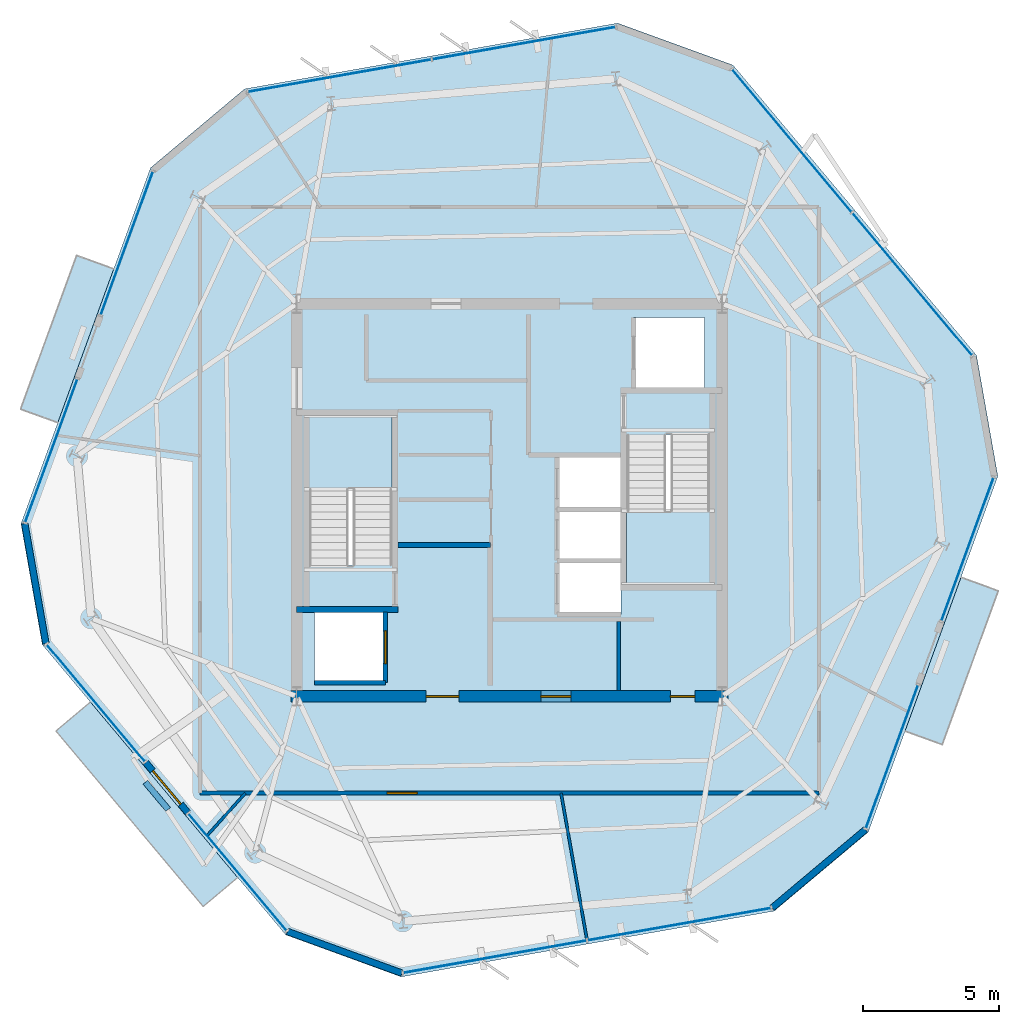
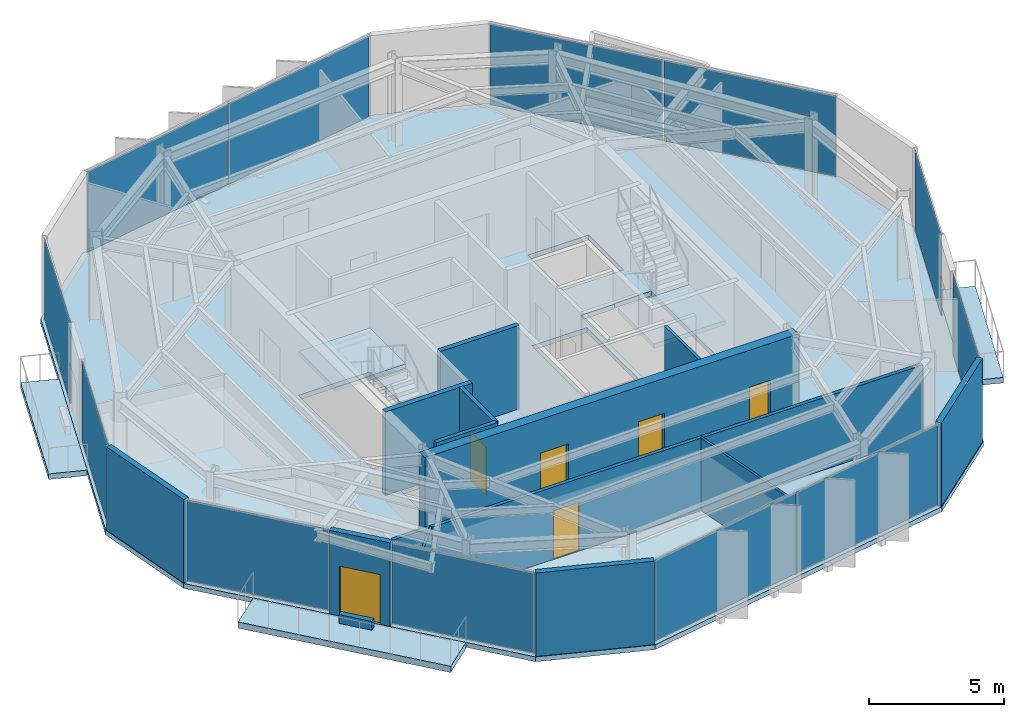
# One storey, part 6 of 11: 14 walls, 12 plates, 6 doors, 6 slabs, 6 openings, 11 elements without a shape of their own.
"""IFC4 building model written with IfcOpenShell, lengths in metres."""

from ifc_helpers import new_model, si_unit, direction, frame, frame_2d, origin, origin_2d, place, context, subcontext, project, spatial, polyline, rectangle, outline, extrude, material, layer, layer_set, type_object, element, fill, aggregate, save


model = new_model("IFC4")

# Units and contexts
model_context = context("Model", 3, precision=1e-05, world=origin(), true_north=direction((0.0, 1.0)))
body_context = subcontext(model_context, "Body", "Model", "MODEL_VIEW")
ifc_project = project(units=[si_unit("LENGTHUNIT", "METRE"), si_unit("AREAUNIT", "SQUARE_METRE"), si_unit("VOLUMEUNIT", "CUBIC_METRE"), si_unit("PLANEANGLEUNIT", "RADIAN"), si_unit("MASSUNIT", "GRAM", prefix="KILO")], contexts=[model_context])

# Site, building, storey
site_placement = place(None, origin())
site = spatial("IfcSite", under=ifc_project, at=site_placement, CompositionType="ELEMENT")
building_placement = place(site_placement, origin())
building = spatial("IfcBuilding", under=site, at=building_placement, Name="Kranzbogen Civic Tower", CompositionType="ELEMENT")
storey_placement = place(building_placement, frame((0.0, 0.0, 306.199951171875)))
storey = spatial("IfcBuildingStorey", under=building, at=storey_placement, Name="L74", CompositionType="ELEMENT", Elevation=306.199951171875)

# Slab
ifc_material_1 = material(Name="Concrete C40/50", Category="concrete")
ifc_layer_1 = layer(ifc_material_1, 0.219970703125, Name="Concrete C40/50")
ifc_layer_set_1 = layer_set([ifc_layer_1], Name="Concrete C40/50")
slab_type_1 = type_object("IfcSlabType", Name="Composite Upper Tower Floor Slab 220 mm", PredefinedType="FLOOR", material=ifc_layer_set_1)
slab_1_placement = place(storey_placement, frame((0.0, 0.0, -0.219970703125)))
element("IfcSlab", 1, at=slab_1_placement, inside=storey, type_object=slab_type_1, Name="L74 tower floor slab", PredefinedType="FLOOR", context=body_context, shape_type="SweptSolid", body=[
    extrude(outline(polyline([(28.970947265625, 42.489013671875), (15.287109375, 40.075927734375), (11.840087890625, 37.18310546875), (7.0869140625, 24.1259765625), (7.868896484375, 19.695068359375), (16.800048828125, 9.050048828125), (21.029052734375, 7.510986328125), (34.712890625, 9.924072265625), (38.159912109375, 12.81689453125), (42.9130859375, 25.8740234375), (42.131103515625, 30.304931640625), (33.199951171875, 40.949951171875), (28.970947265625, 42.489013671875)]), holes=[polyline([(17.85009765625, 20.89990234375), (20.449951171875, 20.89990234375), (20.449951171875, 18.300048828125), (17.85009765625, 18.300048828125), (17.85009765625, 20.89990234375)]), polyline([(29.10009765625, 22.699951171875), (29.10009765625, 20.800048828125), (26.75, 20.800048828125), (26.75, 22.699951171875), (29.10009765625, 22.699951171875)]), polyline([(29.10009765625, 24.64990234375), (29.10009765625, 22.77490234375), (26.75, 22.77490234375), (26.75, 24.64990234375), (26.75, 24.675048828125), (26.75, 26.550048828125), (29.10009765625, 26.550048828125), (29.10009765625, 24.675048828125), (29.10009765625, 24.64990234375)]), polyline([(29.300048828125, 27.340087890625), (30.75, 27.340087890625), (30.75, 27.39990234375), (32.35009765625, 27.39990234375), (32.35009765625, 21.89990234375), (29.300048828125, 21.89990234375), (29.300048828125, 27.340087890625)]), polyline([(20.699951171875, 22.659912109375), (19.25, 22.659912109375), (19.25, 22.60009765625), (17.64990234375, 22.60009765625), (17.64990234375, 28.10009765625), (20.699951171875, 28.10009765625), (20.699951171875, 22.659912109375)]), polyline([(32.14990234375, 31.699951171875), (32.14990234375, 29.10009765625), (29.550048828125, 29.10009765625), (29.550048828125, 31.699951171875), (32.14990234375, 31.699951171875)])]), origin(), (0.0, 0.0, 1.0), 0.219970703125),
])

# Curtain wall, plates
ifc_material_2 = material(Name="Pale Anodised Aluminium", Category="aluminium")
ifc_layer_2 = layer(ifc_material_2, 0.219970703125, Name="Pale Anodised Aluminium")
ifc_layer_set_2 = layer_set([ifc_layer_2], Name="Pale Anodised Aluminium")
curtain_wall_type = type_object("IfcCurtainWallType", Name="Zone 4 Stick Curtain Wall System CW-05", PredefinedType="USERDEFINED", material=ifc_layer_set_2)
curtain_wall_1_placement = place(storey_placement, origin())
curtain_wall_1 = element("IfcCurtainWall", 2, at=curtain_wall_1_placement, inside=storey, type_object=curtain_wall_type, Name="L74 curtain wall CW-L74-F1", ObjectType="STICK CURTAIN WALL", PredefinedType="USERDEFINED")
ifc_material_3 = material(Name="Low-E Triple Glazing Glass", Category="glass")
ifc_layer_3 = layer(ifc_material_3, 0.028076171875, Name="Low-E Triple Glazing Glass")
ifc_layer_set_3 = layer_set([ifc_layer_3], Name="Low-E Triple Glazing Glass")
plate_type = type_object("IfcPlateType", Name="Insulated Low-E Glazing Panel 28 mm", PredefinedType="CURTAIN_PANEL", material=ifc_layer_set_3)
plate_1_placement = place(storey_placement, frame((25.531005859375, 41.7509765625, 0.06005859375), z_axis=(0.0, 0.0, 1.0), x_axis=(-0.984807646548, -0.173648781452, 0.0)))
plate_1 = element("IfcPlate", 3, at=plate_1_placement, type_object=plate_type, Name="CW-05 panel 1.1", PredefinedType="CURTAIN_PANEL", context=body_context, shape_type="SweptSolid", body=[
    extrude(rectangle(XDim=6.80322265625, YDim=0.028076171875, at=origin_2d()), origin(), (0.0, 0.0, 1.0), 3.659912109375),
])
plate_2_placement = place(storey_placement, frame((18.77197265625, 40.55908203125, 0.06005859375), z_axis=(0.0, 0.0, 1.0), x_axis=(-0.984807646548, -0.173648781452, 0.0)))
plate_2 = element("IfcPlate", 4, at=plate_2_placement, type_object=plate_type, Name="CW-05 panel 2.1", PredefinedType="CURTAIN_PANEL", context=body_context, shape_type="SweptSolid", body=[
    extrude(rectangle(XDim=6.80322265625, YDim=0.028076171875, at=origin_2d()), origin(), (0.0, 0.0, 1.0), 3.659912109375),
])
aggregate(curtain_wall_1, [plate_1, plate_2])

# Curtain wall, plate
curtain_wall_2_placement = place(storey_placement, origin())
curtain_wall_2 = element("IfcCurtainWall", 5, at=curtain_wall_2_placement, inside=storey, type_object=curtain_wall_type, Name="L74 curtain wall CW-L74-F2-S1", ObjectType="STICK CURTAIN WALL", PredefinedType="USERDEFINED")
plate_3_placement = place(storey_placement, frame((10.969482421875, 34.41357421875, 0.06005859375), z_axis=(0.0, 0.0, 1.0), x_axis=(-0.342039257273, -0.939685663658, 0.0)))
plate_3 = element("IfcPlate", 6, at=plate_3_placement, type_object=plate_type, Name="CW-05 panel 1.1", PredefinedType="CURTAIN_PANEL", context=body_context, shape_type="SweptSolid", body=[
    extrude(rectangle(XDim=5.572265625, YDim=0.028076171875, at=origin_2d()), origin(), (0.0, 0.0, 1.0), 3.659912109375),
])
aggregate(curtain_wall_2, [plate_3])

curtain_wall_3_placement = place(storey_placement, origin())
curtain_wall_3 = element("IfcCurtainWall", 7, at=curtain_wall_3_placement, inside=storey, type_object=curtain_wall_type, Name="L74 curtain wall CW-L74-F2-S2", ObjectType="STICK CURTAIN WALL", PredefinedType="USERDEFINED")
plate_4_placement = place(storey_placement, frame((8.200927734375, 26.80810546875, 0.06005859375), z_axis=(0.0, 0.0, 1.0), x_axis=(-0.342137892225, -0.939649755337, 0.0)))
plate_4 = element("IfcPlate", 8, at=plate_4_placement, type_object=plate_type, Name="CW-05 panel 1.1", PredefinedType="CURTAIN_PANEL", context=body_context, shape_type="SweptSolid", body=[
    extrude(rectangle(XDim=5.57373046875, YDim=0.028076171875, at=origin_2d()), origin(), (0.0, 0.0, 1.0), 3.659912109375),
])
aggregate(curtain_wall_3, [plate_4])

curtain_wall_4_placement = place(storey_placement, origin())
curtain_wall_4 = element("IfcCurtainWall", 9, at=curtain_wall_4_placement, inside=storey, type_object=curtain_wall_type, Name="L74 curtain wall CW-L74-F3-S1", ObjectType="STICK CURTAIN WALL", PredefinedType="USERDEFINED")
plate_5_placement = place(storey_placement, frame((9.8330078125, 17.554931640625, 0.06005859375), z_axis=(0.0, 0.0, 1.0), x_axis=(0.642771883733, -0.766057638486, 0.0)))
plate_5 = element("IfcPlate", 10, at=plate_5_placement, type_object=plate_type, Name="CW-05 panel 1.1", PredefinedType="CURTAIN_PANEL", context=body_context, shape_type="SweptSolid", body=[
    extrude(rectangle(XDim=5.573974609375, YDim=0.028076171875, at=origin_2d()), origin(), (0.0, 0.0, 1.0), 3.659912109375),
])
aggregate(curtain_wall_4, [plate_5])

curtain_wall_5_placement = place(storey_placement, origin())
curtain_wall_5 = element("IfcCurtainWall", 11, at=curtain_wall_5_placement, inside=storey, type_object=curtain_wall_type, Name="L74 curtain wall CW-L74-F3-S2", ObjectType="STICK CURTAIN WALL", PredefinedType="USERDEFINED")
plate_6_placement = place(storey_placement, frame((15.034423828125, 11.35546875, 0.06005859375), z_axis=(0.0, 0.0, 1.0), x_axis=(0.642755293162, -0.766071558742, 0.0)))
plate_6 = element("IfcPlate", 12, at=plate_6_placement, type_object=plate_type, Name="CW-05 panel 1.1", PredefinedType="CURTAIN_PANEL", context=body_context, shape_type="SweptSolid", body=[
    extrude(rectangle(XDim=5.57275390625, YDim=0.028076171875, at=origin_2d()), origin(), (0.0, 0.0, 1.0), 3.659912109375),
])
aggregate(curtain_wall_5, [plate_6])

# Curtain wall, plates
curtain_wall_6_placement = place(storey_placement, origin())
curtain_wall_6 = element("IfcCurtainWall", 13, at=curtain_wall_6_placement, inside=storey, type_object=curtain_wall_type, Name="L74 curtain wall CW-L74-F4", ObjectType="STICK CURTAIN WALL", PredefinedType="USERDEFINED")
plate_7_placement = place(storey_placement, frame((24.468994140625, 8.2490234375, 0.06005859375), z_axis=(0.0, 0.0, 1.0), x_axis=(0.984807646548, 0.173648781452, 0.0)))
plate_7 = element("IfcPlate", 14, at=plate_7_placement, type_object=plate_type, Name="CW-05 panel 1.1", PredefinedType="CURTAIN_PANEL", context=body_context, shape_type="SweptSolid", body=[
    extrude(rectangle(XDim=6.80322265625, YDim=0.028076171875, at=origin_2d()), origin(), (0.0, 0.0, 1.0), 3.659912109375),
])
plate_8_placement = place(storey_placement, frame((31.22802734375, 9.44091796875, 0.06005859375), z_axis=(0.0, 0.0, 1.0), x_axis=(0.984807646548, 0.173648781452, 0.0)))
plate_8 = element("IfcPlate", 15, at=plate_8_placement, type_object=plate_type, Name="CW-05 panel 2.1", PredefinedType="CURTAIN_PANEL", context=body_context, shape_type="SweptSolid", body=[
    extrude(rectangle(XDim=6.80322265625, YDim=0.028076171875, at=origin_2d()), origin(), (0.0, 0.0, 1.0), 3.659912109375),
])
aggregate(curtain_wall_6, [plate_7, plate_8])

# Curtain wall, plate
curtain_wall_7_placement = place(storey_placement, origin())
curtain_wall_7 = element("IfcCurtainWall", 16, at=curtain_wall_7_placement, inside=storey, type_object=curtain_wall_type, Name="L74 curtain wall CW-L74-F5-S1", ObjectType="STICK CURTAIN WALL", PredefinedType="USERDEFINED")
plate_9_placement = place(storey_placement, frame((39.030517578125, 15.58642578125, 0.06005859375), z_axis=(0.0, 0.0, 1.0), x_axis=(0.342039257273, 0.939685663658, 0.0)))
plate_9 = element("IfcPlate", 17, at=plate_9_placement, type_object=plate_type, Name="CW-05 panel 1.1", PredefinedType="CURTAIN_PANEL", context=body_context, shape_type="SweptSolid", body=[
    extrude(rectangle(XDim=5.572265625, YDim=0.028076171875, at=origin_2d()), origin(), (0.0, 0.0, 1.0), 3.659912109375),
])
aggregate(curtain_wall_7, [plate_9])

curtain_wall_8_placement = place(storey_placement, origin())
curtain_wall_8 = element("IfcCurtainWall", 18, at=curtain_wall_8_placement, inside=storey, type_object=curtain_wall_type, Name="L74 curtain wall CW-L74-F5-S2", ObjectType="STICK CURTAIN WALL", PredefinedType="USERDEFINED")
plate_10_placement = place(storey_placement, frame((41.799072265625, 23.19189453125, 0.06005859375), z_axis=(0.0, 0.0, 1.0), x_axis=(0.342137892225, 0.939649755337, 0.0)))
plate_10 = element("IfcPlate", 19, at=plate_10_placement, type_object=plate_type, Name="CW-05 panel 1.1", PredefinedType="CURTAIN_PANEL", context=body_context, shape_type="SweptSolid", body=[
    extrude(rectangle(XDim=5.57373046875, YDim=0.028076171875, at=origin_2d()), origin(), (0.0, 0.0, 1.0), 3.659912109375),
])
aggregate(curtain_wall_8, [plate_10])

# Curtain wall, plates
curtain_wall_9_placement = place(storey_placement, origin())
curtain_wall_9 = element("IfcCurtainWall", 20, at=curtain_wall_9_placement, inside=storey, type_object=curtain_wall_type, Name="L74 curtain wall CW-L74-F6", ObjectType="STICK CURTAIN WALL", PredefinedType="USERDEFINED")
plate_11_placement = place(storey_placement, frame((39.772216796875, 32.915771484375, 0.06005859375), z_axis=(0.0, 0.0, 1.0), x_axis=(-0.642756484055, 0.766070559547, 0.0)))
plate_11 = element("IfcPlate", 21, at=plate_11_placement, type_object=plate_type, Name="CW-05 panel 1.1", PredefinedType="CURTAIN_PANEL", context=body_context, shape_type="SweptSolid", body=[
    extrude(rectangle(XDim=6.802978515625, YDim=0.028076171875, at=origin_2d()), origin(), (0.0, 0.0, 1.0), 3.659912109375),
])
plate_12_placement = place(storey_placement, frame((35.36083984375, 38.17333984375, 0.06005859375), z_axis=(0.0, 0.0, 1.0), x_axis=(-0.642756484055, 0.766070559547, 0.0)))
plate_12 = element("IfcPlate", 22, at=plate_12_placement, type_object=plate_type, Name="CW-05 panel 2.1", PredefinedType="CURTAIN_PANEL", context=body_context, shape_type="SweptSolid", body=[
    extrude(rectangle(XDim=6.802978515625, YDim=0.028076171875, at=origin_2d()), origin(), (0.0, 0.0, 1.0), 3.659912109375),
])
aggregate(curtain_wall_9, [plate_11, plate_12])

# Stair, slab
ifc_material_4 = material(Name="Precast concrete C40/50", Category="concrete")
stair_type_1 = type_object("IfcStairType", Name="Tower Core Pressurized Dogleg Stair 1450", PredefinedType="HALF_TURN_STAIR", material=ifc_material_4)
stair_1_placement = place(storey_placement, origin())
stair_1 = element("IfcStair", 23, at=stair_1_placement, inside=storey, type_object=stair_type_1, Name="L74 Tower Core Pressurized Stair 1", PredefinedType="HALF_TURN_STAIR")
ifc_layer_4 = layer(ifc_material_4, 0.199951171875, Name="Precast concrete C40/50")
ifc_layer_set_4 = layer_set([ifc_layer_4], Name="Precast concrete C40/50")
slab_type_2 = type_object("IfcSlabType", Name="Precast Concrete Stair Landing Slab 200 mm", PredefinedType="LANDING", material=ifc_layer_set_4)
slab_2_placement = place(storey_placement, frame((0.0, 0.0, 1.800048828125)))
slab_2 = element("IfcSlab", 24, at=slab_2_placement, type_object=slab_type_2, Name="ST-T1 landing 1", PredefinedType="LANDING", context=body_context, shape_type="SweptSolid", body=[
    extrude(outline(polyline([(20.699951171875, 25.39990234375), (20.699951171875, 28.10009765625), (17.64990234375, 28.10009765625), (17.64990234375, 25.39990234375), (20.699951171875, 25.39990234375)])), origin(), (0.0, 0.0, 1.0), 0.199951171875),
])
aggregate(stair_1, [slab_2])

stair_type_2 = type_object("IfcStairType", Name="Tower Core Secondary Dogleg Stair 1450", PredefinedType="HALF_TURN_STAIR", material=ifc_material_4)
stair_2_placement = place(storey_placement, origin())
stair_2 = element("IfcStair", 25, at=stair_2_placement, inside=storey, type_object=stair_type_2, Name="L74 Tower Core Pressurized Stair 2", PredefinedType="HALF_TURN_STAIR")
slab_3_placement = place(storey_placement, frame((0.0, 0.0, 1.800048828125)))
slab_3 = element("IfcSlab", 26, at=slab_3_placement, type_object=slab_type_2, Name="ST-T2 landing 1", PredefinedType="LANDING", context=body_context, shape_type="SweptSolid", body=[
    extrude(outline(polyline([(29.300048828125, 24.60009765625), (29.300048828125, 21.89990234375), (32.35009765625, 21.89990234375), (32.35009765625, 24.60009765625), (29.300048828125, 24.60009765625)])), origin(), (0.0, 0.0, 1.0), 0.199951171875),
])
aggregate(stair_2, [slab_3])

# Slabs
ifc_layer_5 = layer(ifc_material_1, 0.280029296875, Name="Concrete C40/50")
ifc_layer_set_5 = layer_set([ifc_layer_5], Name="Concrete C40/50")
slab_type_3 = type_object("IfcSlabType", Name="Spiral Terrace Cantilevered Slab 280 mm", PredefinedType="FLOOR", material=ifc_layer_set_5)
slab_4_placement = place(storey_placement, frame((0.0, 0.0, -0.280029296875)))
element("IfcSlab", 27, at=slab_4_placement, inside=storey, type_object=slab_type_3, Name="L74 cantilevered spiral terrace L74-ST", PredefinedType="FLOOR", context=body_context, shape_type="SweptSolid", body=[
    extrude(outline(polyline([(9.635009765625, 17.590087890625), (15.033935546875, 11.155029296875), (13.77001953125, 10.093994140625), (8.37109375, 16.529052734375), (9.635009765625, 17.590087890625)])), origin(), (0.0, 0.0, 1.0), 0.280029296875),
])
ifc_layer_6 = layer(ifc_material_1, 0.25, Name="Concrete C40/50")
ifc_layer_set_6 = layer_set([ifc_layer_6], Name="Concrete C40/50")
slab_type_4 = type_object("IfcSlabType", Name="Tree Balcony Cantilevered Slab 250 mm", PredefinedType="FLOOR", material=ifc_layer_set_6)
slab_5_placement = place(storey_placement, frame((0.0, 0.0, -0.25)))
element("IfcSlab", 28, at=slab_5_placement, inside=storey, type_object=slab_type_4, Name="L74 cantilevered tree balcony L74-TB1", PredefinedType="FLOOR", context=body_context, shape_type="SweptSolid", body=[
    extrude(outline(polyline([(10.489990234375, 33.47412109375), (8.43798828125, 27.8359375), (7.074951171875, 28.33203125), (9.126953125, 33.969970703125), (10.489990234375, 33.47412109375)])), origin(), (0.0, 0.0, 1.0), 0.25),
])
slab_6_placement = place(storey_placement, frame((0.0, 0.0, -0.25)))
element("IfcSlab", 29, at=slab_6_placement, inside=storey, type_object=slab_type_4, Name="L74 cantilevered tree balcony L74-TB2", PredefinedType="FLOOR", context=body_context, shape_type="SweptSolid", body=[
    extrude(outline(polyline([(39.510009765625, 16.52587890625), (41.56201171875, 22.1640625), (42.925048828125, 21.66796875), (40.873046875, 16.030029296875), (39.510009765625, 16.52587890625)])), origin(), (0.0, 0.0, 1.0), 0.25),
])

# Wall, opening, door
ifc_material_5 = material(Name="Double-Stud Acoustic Gypsum Partition")
ifc_layer_7 = layer(ifc_material_5, 0.14990234375, Name="Double-Stud Acoustic Gypsum Partition")
ifc_layer_set_7 = layer_set([ifc_layer_7], Name="Double-Stud Acoustic Gypsum Partition")
wall_type_1 = type_object("IfcWallType", Name="Acoustic Corridor and Clinical Partition 150 mm", PredefinedType="PARTITIONING", material=ifc_layer_set_7)
wall_1_placement = place(storey_placement, frame((36.35009765625, 14.25, 0.0), z_axis=(0.0, 0.0, 1.0), x_axis=(-1.0, 0.0, 0.0)))
wall_1 = element("IfcWall", 30, at=wall_1_placement, inside=storey, type_object=wall_type_1, Name="L74 corridor partition 03", PredefinedType="PARTITIONING", context=body_context, shape_type="SweptSolid", body=[
    extrude(rectangle(XDim=22.7001953125, YDim=0.14990234375, at=frame_2d((11.35009765625, 0.0))), origin(), (0.0, 0.0, 1.0), 3.280029296875),
])
opening_1_placement = place(wall_1_placement, frame((14.72998046875, 0.0, 0.0)))
opening_1 = element("IfcOpeningElement", 31, at=opening_1_placement, cuts=wall_1, Name="Opening D-COR60", PredefinedType="OPENING", context=body_context, shape_type="SweptSolid", body=[
    extrude(rectangle(XDim=1.10009765625, YDim=2.199951171875, at=frame_2d((0.550048828125, 1.10009765625))), frame((0.0, 0.0849609375, 0.0), z_axis=(0.0, -1.0, 0.0), x_axis=(1.0, 0.0, 0.0)), (0.0, 0.0, 1.0), 0.169921875),
])
ifc_material_6 = material(Name="Oak Timber and Fire Core", Category="wood")
door_type_1 = type_object("IfcDoorType", Name="Corridor Acoustic Fire Door 1100x2200", OperationType="NOTDEFINED", PredefinedType="DOOR", material=ifc_material_6)
door_1_placement = place(opening_1_placement, origin())
door_1 = element("IfcDoor", 32, at=door_1_placement, inside=storey, type_object=door_type_1, Name="L74 Visitor Concierge Foyer door", OperationType="SINGLE_SWING_RIGHT", OverallHeight=2.199951171875, OverallWidth=1.10009765625, PredefinedType="DOOR", context=body_context, shape_type="SweptSolid", body=[
    extrude(rectangle(XDim=1.10009765625, YDim=2.199951171875, at=frame_2d((0.550048828125, 1.10009765625))), frame((0.0, 0.02490234375, 0.0), z_axis=(0.0, -1.0, 0.0), x_axis=(1.0, 0.0, 0.0)), (0.0, 0.0, 1.0), 0.050048828125),
])
fill(opening_1, door_1)

# Walls
ifc_material_7 = material(Name="Insulated Metal-Stud Gypsum Partition")
ifc_layer_8 = layer(ifc_material_7, 0.125, Name="Insulated Metal-Stud Gypsum Partition")
ifc_layer_set_8 = layer_set([ifc_layer_8], Name="Insulated Metal-Stud Gypsum Partition")
wall_type_2 = type_object("IfcWallType", Name="Acoustic Inter-Room Partition 125 mm", PredefinedType="PARTITIONING", material=ifc_layer_set_8)
wall_2_placement = place(storey_placement, frame((29.010009765625, 18.010009765625, 0.0), z_axis=(0.0, 0.0, 1.0), x_axis=(0.0, 1.0, 0.0)))
element("IfcWall", 33, at=wall_2_placement, inside=storey, type_object=wall_type_2, Name="L74 core auxiliary partition 1", PredefinedType="PARTITIONING", context=body_context, shape_type="SweptSolid", body=[
    extrude(rectangle(XDim=2.5400390625, YDim=0.125, at=frame_2d((1.27001953125, 0.0))), origin(), (0.0, 0.0, 1.0), 3.780029296875),
])
ifc_material_8 = material(Name="Architectural Precast Terracotta Concrete C40/50", Category="masonry")
ifc_layer_9 = layer(ifc_material_8, 0.219970703125, Name="Architectural Precast Terracotta Concrete C40/50")
ifc_layer_set_9 = layer_set([ifc_layer_9], Name="Architectural Precast Terracotta Concrete C40/50")
wall_type_3 = type_object("IfcWallType", Name="Architectural Tree Planter Kerb Wall 220 mm", PredefinedType="USERDEFINED", material=ifc_layer_set_9)
wall_3_placement = place(storey_placement, frame((11.65087890625, 14.64794921875, 0.0), z_axis=(0.0, 0.0, 1.0), x_axis=(0.643042367604, -0.765830603637, 0.0)))
element("IfcWall", 34, at=wall_3_placement, inside=storey, type_object=wall_type_3, Name="L74 landscaped tree balcony planter L74-ST", ObjectType="PLANTER_WALL", PredefinedType="USERDEFINED", context=body_context, shape_type="SweptSolid", body=[
    extrude(rectangle(XDim=1.30029296875, YDim=0.219970703125, at=frame_2d((0.650146484375, 0.0))), origin(), (0.0, 0.0, 1.0), 0.400146484375),
])

# Wall, openings, doors
ifc_material_9 = material(Name="Concrete C45/55", Category="concrete")
ifc_layer_10 = layer(ifc_material_9, 0.419921875, Name="Concrete C45/55")
ifc_layer_set_10 = layer_set([ifc_layer_10], Name="Concrete C45/55")
wall_type_4 = type_object("IfcWallType", Name="Central Core Shear Wall 420 mm", PredefinedType="SHEAR", material=ifc_layer_set_10)
wall_4_placement = place(storey_placement, frame((16.989990234375, 17.800048828125, 0.0), z_axis=(0.0, 0.0, 1.0), x_axis=(1.0, 0.0, 0.0)))
wall_4 = element("IfcWall", 35, at=wall_4_placement, inside=storey, type_object=wall_type_4, Name="L74 central core South shear wall", PredefinedType="SHEAR", context=body_context, shape_type="SweptSolid", body=[
    extrude(rectangle(XDim=16.02001953125, YDim=0.419921875, at=frame_2d((8.010009765625, 0.0))), origin(), (0.0, 0.0, 1.0), 3.780029296875),
])
opening_2_placement = place(wall_4_placement, frame((4.9599609375, 0.0, 0.0)))
opening_2 = element("IfcOpeningElement", 36, at=opening_2_placement, cuts=wall_4, Name="Opening D-EX120", PredefinedType="OPENING", context=body_context, shape_type="SweptSolid", body=[
    extrude(rectangle(XDim=1.199951171875, YDim=2.25, at=frame_2d((0.60009765625, 1.125))), frame((0.0, 0.219970703125, 0.0), z_axis=(0.0, -1.0, 0.0), x_axis=(1.0, 0.0, 0.0)), (0.0, 0.0, 1.0), 0.43994140625),
])
opening_3_placement = place(wall_4_placement, frame((13.909912109375, 0.0, 0.0)))
opening_3 = element("IfcOpeningElement", 37, at=opening_3_placement, cuts=wall_4, Name="Opening D-WC90", PredefinedType="OPENING", context=body_context, shape_type="SweptSolid", body=[
    extrude(rectangle(XDim=0.89990234375, YDim=2.10009765625, at=frame_2d((0.449951171875, 1.050048828125))), frame((0.0, 0.219970703125, 0.0), z_axis=(0.0, -1.0, 0.0), x_axis=(1.0, 0.0, 0.0)), (0.0, 0.0, 1.0), 0.43994140625),
])
opening_4_placement = place(wall_4_placement, frame((9.159912109375, 0.0, 0.0)))
opening_4 = element("IfcOpeningElement", 38, at=opening_4_placement, cuts=wall_4, Name="Opening D-COR60", PredefinedType="OPENING", context=body_context, shape_type="SweptSolid", body=[
    extrude(rectangle(XDim=1.10009765625, YDim=2.199951171875, at=frame_2d((0.550048828125, 1.10009765625))), frame((0.0, 0.219970703125, 0.0), z_axis=(0.0, -1.0, 0.0), x_axis=(1.0, 0.0, 0.0)), (0.0, 0.0, 1.0), 0.43994140625),
])
door_2_placement = place(opening_4_placement, origin())
door_2 = element("IfcDoor", 39, at=door_2_placement, inside=storey, type_object=door_type_1, Name="L74 REC1 archive room door", OperationType="SINGLE_SWING_LEFT", OverallHeight=2.199951171875, OverallWidth=1.10009765625, PredefinedType="DOOR", context=body_context, shape_type="SweptSolid", body=[
    extrude(rectangle(XDim=1.10009765625, YDim=2.199951171875, at=frame_2d((0.550048828125, 1.10009765625))), frame((0.0, 0.02490234375, 0.0), z_axis=(0.0, -1.0, 0.0), x_axis=(1.0, 0.0, 0.0)), (0.0, 0.0, 1.0), 0.050048828125),
])
fill(opening_4, door_2)
ifc_material_10 = material(Name="Steel S355", Category="steel")
door_type_2 = type_object("IfcDoorType", Name="Exit Passageway Fire Door 1200x2250", OperationType="NOTDEFINED", PredefinedType="DOOR", material=ifc_material_10)
door_3_placement = place(opening_2_placement, origin())
door_3 = element("IfcDoor", 40, at=door_3_placement, inside=storey, type_object=door_type_2, Name="L74 West firefighting lobby corridor door", OperationType="SINGLE_SWING_LEFT", OverallHeight=2.25, OverallWidth=1.199951171875, PredefinedType="DOOR", context=body_context, shape_type="SweptSolid", body=[
    extrude(rectangle(XDim=1.199951171875, YDim=2.25, at=frame_2d((0.60009765625, 1.125))), frame((0.0, 0.02490234375, 0.0), z_axis=(0.0, -1.0, 0.0), x_axis=(1.0, 0.0, 0.0)), (0.0, 0.0, 1.0), 0.050048828125),
])
fill(opening_2, door_3)
ifc_material_11 = material(Name="Moisture-Resistant Laminate")
door_type_3 = type_object("IfcDoorType", Name="Standard Restroom and Store Door 900x2100", OperationType="NOTDEFINED", PredefinedType="DOOR", material=ifc_material_11)
door_4_placement = place(opening_3_placement, origin())
door_4 = element("IfcDoor", 41, at=door_4_placement, inside=storey, type_object=door_type_3, Name="L74 East electrical riser access door", OperationType="SINGLE_SWING_RIGHT", OverallHeight=2.10009765625, OverallWidth=0.89990234375, PredefinedType="DOOR", context=body_context, shape_type="SweptSolid", body=[
    extrude(rectangle(XDim=0.89990234375, YDim=2.10009765625, at=frame_2d((0.449951171875, 1.050048828125))), frame((0.0, 0.02490234375, 0.0), z_axis=(0.0, -1.0, 0.0), x_axis=(1.0, 0.0, 0.0)), (0.0, 0.0, 1.0), 0.050048828125),
])
fill(opening_3, door_4)

# Walls
ifc_layer_11 = layer(ifc_material_9, 0.219970703125, Name="Concrete C45/55")
ifc_layer_set_11 = layer_set([ifc_layer_11], Name="Concrete C45/55")
wall_type_5 = type_object("IfcWallType", Name="Core Internal Stair Structural Wall 220 mm", PredefinedType="SOLIDWALL", material=ifc_layer_set_11)
wall_5_placement = place(storey_placement, frame((17.199951171875, 20.989990234375, 0.0), z_axis=(0.0, 0.0, 1.0), x_axis=(1.0, 0.0, 0.0)))
element("IfcWall", 42, at=wall_5_placement, inside=storey, type_object=wall_type_5, Name="L74 ST-T1 South structural stair wall", PredefinedType="SOLIDWALL", context=body_context, shape_type="SweptSolid", body=[
    extrude(rectangle(XDim=3.719970703125, YDim=0.219970703125, at=frame_2d((1.85986328125, 0.0))), origin(), (0.0, 0.0, 1.0), 3.780029296875),
])
ifc_material_12 = material(Name="Demountable Aluminium and Gypsum Partition", Category="aluminium")
ifc_layer_12 = layer(ifc_material_12, 0.10009765625, Name="Demountable Aluminium and Gypsum Partition")
ifc_layer_set_12 = layer_set([ifc_layer_12], Name="Demountable Aluminium and Gypsum Partition")
wall_type_6 = type_object("IfcWallType", Name="Demountable Office Partition 100 mm", PredefinedType="MOVABLE", material=ifc_layer_set_12)
wall_6_placement = place(storey_placement, frame((15.31689453125, 14.25, 0.0), z_axis=(0.0, 0.0, 1.0), x_axis=(-0.669366537032, -0.742932324712, 0.0)))
element("IfcWall", 43, at=wall_6_placement, inside=storey, type_object=wall_type_6, Name="L74 radial room partition 03", PredefinedType="MOVABLE", context=body_context, shape_type="SweptSolid", body=[
    extrude(rectangle(XDim=2.080810546875, YDim=0.10009765625, at=frame_2d((1.04052734375, 0.0))), origin(), (0.0, 0.0, 1.0), 3.280029296875),
])
wall_7_placement = place(storey_placement, frame((26.89501953125, 14.25, 0.0), z_axis=(0.0, 0.0, 1.0), x_axis=(0.173744618564, -0.984790743011, 0.0)))
element("IfcWall", 44, at=wall_7_placement, inside=storey, type_object=wall_type_6, Name="L74 radial room partition 04", PredefinedType="MOVABLE", context=body_context, shape_type="SweptSolid", body=[
    extrude(rectangle(XDim=5.47314453125, YDim=0.10009765625, at=frame_2d((2.736572265625, 0.0))), origin(), (0.0, 0.0, 1.0), 3.280029296875),
])
ifc_material_13 = material(Name="Gypsum Fireboard and Concrete Block", Category="concrete")
ifc_layer_13 = layer(ifc_material_13, 0.199951171875, Name="Gypsum Fireboard and Concrete Block")
ifc_layer_set_13 = layer_set([ifc_layer_13], Name="Gypsum Fireboard and Concrete Block")
wall_type_7 = type_object("IfcWallType", Name="Fire-Rated Exit Passageway and Stair Wall 200 mm", PredefinedType="PARTITIONING", material=ifc_layer_set_13)
wall_8_placement = place(storey_placement, frame((20.919921875, 23.35009765625, 0.0), z_axis=(0.0, 0.0, 1.0), x_axis=(1.0, 0.0, 0.0)))
element("IfcWall", 45, at=wall_8_placement, inside=storey, type_object=wall_type_7, Name="L74 West firefighting lobby North wall", PredefinedType="PARTITIONING", context=body_context, shape_type="SweptSolid", body=[
    extrude(rectangle(XDim=3.380126953125, YDim=0.199951171875, at=frame_2d((1.68994140625, 0.0))), origin(), (0.0, 0.0, 1.0), 3.780029296875),
])

# Wall, opening, door
ifc_material_14 = material(Name="Gypsum Fireboard Shaftliner")
ifc_layer_14 = layer(ifc_material_14, 0.175048828125, Name="Gypsum Fireboard Shaftliner")
ifc_layer_set_14 = layer_set([ifc_layer_14], Name="Gypsum Fireboard Shaftliner")
wall_type_8 = type_object("IfcWallType", Name="Fire-Rated Lift and Service Shaft Wall 175 mm", PredefinedType="PARTITIONING", material=ifc_layer_set_14)
wall_9_placement = place(storey_placement, frame((20.449951171875, 18.300048828125, 0.0), z_axis=(0.0, 0.0, 1.0), x_axis=(0.0, 1.0, 0.0)))
wall_9 = element("IfcWall", 46, at=wall_9_placement, inside=storey, type_object=wall_type_8, Name="L74 lift FF-01 landing wall", PredefinedType="PARTITIONING", context=body_context, shape_type="SweptSolid", body=[
    extrude(rectangle(XDim=2.599853515625, YDim=0.175048828125, at=frame_2d((1.2998046875, 0.0))), origin(), (0.0, 0.0, 1.0), 3.780029296875),
])
opening_5_placement = place(wall_9_placement, frame((0.699951171875, 0.0, 0.0)))
opening_5 = element("IfcOpeningElement", 47, at=opening_5_placement, cuts=wall_9, Name="Opening LD-FF-01", PredefinedType="OPENING", context=body_context, shape_type="SweptSolid", body=[
    extrude(rectangle(XDim=1.199951171875, YDim=2.199951171875, at=frame_2d((0.60009765625, 1.10009765625))), frame((0.0, 0.09765625, 0.0), z_axis=(0.0, -1.0, 0.0), x_axis=(1.0, 0.0, 0.0)), (0.0, 0.0, 1.0), 0.195068359375),
])
door_type_4 = type_object("IfcDoorType", Name="Firefighting and Stretcher Lift Sliding Landing Door 1200x2200", OperationType="DOUBLE_DOOR_SLIDING", PredefinedType="DOOR", material=ifc_material_2)
door_5_placement = place(opening_5_placement, origin())
door_5 = element("IfcDoor", 48, at=door_5_placement, inside=storey, type_object=door_type_4, Name="L74 lift FF-01 sliding landing door", OperationType="DOUBLE_DOOR_SLIDING", OverallHeight=2.199951171875, OverallWidth=1.199951171875, PredefinedType="DOOR", context=body_context, shape_type="SweptSolid", body=[
    extrude(rectangle(XDim=1.199951171875, YDim=2.199951171875, at=frame_2d((0.60009765625, 1.10009765625))), frame((0.0, 0.02490234375, 0.0), z_axis=(0.0, -1.0, 0.0), x_axis=(1.0, 0.0, 0.0)), (0.0, 0.0, 1.0), 0.050048828125),
])
fill(opening_5, door_5)

# Walls
wall_10_placement = place(storey_placement, frame((17.85009765625, 18.300048828125, 0.0), z_axis=(0.0, 0.0, 1.0), x_axis=(1.0, 0.0, 0.0)))
element("IfcWall", 49, at=wall_10_placement, inside=storey, type_object=wall_type_8, Name="L74 lift FF-01 side wall", PredefinedType="PARTITIONING", context=body_context, shape_type="SweptSolid", body=[
    extrude(rectangle(XDim=2.599853515625, YDim=0.175048828125, at=frame_2d((1.2998046875, 0.0))), origin(), (0.0, 0.0, 1.0), 3.780029296875),
])
ifc_layer_15 = layer(ifc_material_2, 0.239990234375, Name="Pale Anodised Aluminium")
ifc_layer_set_15 = layer_set([ifc_layer_15], Name="Pale Anodised Aluminium")
wall_type_9 = type_object("IfcWallType", Name="Insulated Aluminium Facade Portal Wall 240 mm", PredefinedType="STANDARD", material=ifc_layer_set_15)
wall_11_placement = place(storey_placement, frame((7.22705078125, 24.133056640625, 0.0), z_axis=(0.0, 0.0, 1.0), x_axis=(0.173772856593, -0.984785760616, 0.0)))
element("IfcWall", 50, at=wall_11_placement, inside=storey, type_object=wall_type_9, Name="L74 chamfered corner facade spandrel 2", PredefinedType="STANDARD", context=body_context, shape_type="SweptSolid", body=[
    extrude(rectangle(XDim=4.46484375, YDim=0.239990234375, at=frame_2d((2.232421875, 0.0))), origin(), (0.0, 0.0, 1.0), 3.780029296875),
])

# Wall, opening, door
wall_12_placement = place(storey_placement, frame((11.6630859375, 15.3740234375, 0.0), z_axis=(0.0, 0.0, 1.0), x_axis=(0.642693191064, -0.766123659836, 0.0)))
wall_12 = element("IfcWall", 51, at=wall_12_placement, inside=storey, type_object=wall_type_9, Name="L74 exterior entrance portal wall 1", PredefinedType="STANDARD", context=body_context, shape_type="SweptSolid", body=[
    extrude(rectangle(XDim=2.399169921875, YDim=0.239990234375, at=frame_2d((1.19970703125, 0.0))), origin(), (0.0, 0.0, 1.0), 3.780029296875),
])
opening_6_placement = place(wall_12_placement, frame((0.39990234375, 0.0, 0.0)))
opening_6 = element("IfcOpeningElement", 52, at=opening_6_placement, cuts=wall_12, Name="Opening D-TER", PredefinedType="OPENING", context=body_context, shape_type="SweptSolid", body=[
    extrude(rectangle(XDim=1.60009765625, YDim=2.25, at=frame_2d((0.800048828125, 1.125))), frame((0.0, 0.1298828125, 0.0), z_axis=(0.0, -1.0, 0.0), x_axis=(1.0, 0.0, 0.0)), (0.0, 0.0, 1.0), 0.260009765625),
])
ifc_material_15 = material(Name="Anodised Bronze and Triple Glass", Category="glass")
door_type_5 = type_object("IfcDoorType", Name="Glazed Terrace and Balcony Double Door 1600x2250", OperationType="DOUBLE_DOOR_SINGLE_SWING", PredefinedType="DOOR", material=ifc_material_15)
door_6_placement = place(opening_6_placement, frame((1.60009765625, 0.0, 0.0), z_axis=(0.0, 0.0, 1.0), x_axis=(-1.0, 0.0, 0.0)))
door_6 = element("IfcDoor", 53, at=door_6_placement, inside=storey, type_object=door_type_5, Name="L74 spiral terrace access door L74-ST", OperationType="DOUBLE_DOOR_SINGLE_SWING", OverallHeight=2.25, OverallWidth=1.60009765625, PredefinedType="DOOR", context=body_context, shape_type="SweptSolid", body=[
    extrude(rectangle(XDim=1.60009765625, YDim=2.25, at=frame_2d((0.800048828125, 1.125))), frame((0.0, 0.02490234375, 0.0), z_axis=(0.0, -1.0, 0.0), x_axis=(1.0, 0.0, 0.0)), (0.0, 0.0, 1.0), 0.050048828125),
])
fill(opening_6, door_6)

# Walls
wall_13_placement = place(storey_placement, frame((16.864013671875, 9.175048828125, 0.0), z_axis=(0.0, 0.0, 1.0), x_axis=(0.939702397898, -0.341993279738, 0.0)))
element("IfcWall", 54, at=wall_13_placement, inside=storey, type_object=wall_type_9, Name="L74 chamfered corner facade spandrel 3", PredefinedType="STANDARD", context=body_context, shape_type="SweptSolid", body=[
    extrude(rectangle(XDim=4.46533203125, YDim=0.239990234375, at=frame_2d((2.232666015625, 0.0))), origin(), (0.0, 0.0, 1.0), 3.780029296875),
])
wall_14_placement = place(storey_placement, frame((34.636962890625, 10.0419921875, 0.0), z_axis=(0.0, 0.0, 1.0), x_axis=(0.765993487021, 0.642848331912, 0.0)))
element("IfcWall", 55, at=wall_14_placement, inside=storey, type_object=wall_type_9, Name="L74 chamfered corner facade spandrel 4", PredefinedType="STANDARD", context=body_context, shape_type="SweptSolid", body=[
    extrude(rectangle(XDim=4.464599609375, YDim=0.239990234375, at=frame_2d((2.232421875, 0.0))), origin(), (0.0, 0.0, 1.0), 3.780029296875),
])

save(model, "model.ifc")
